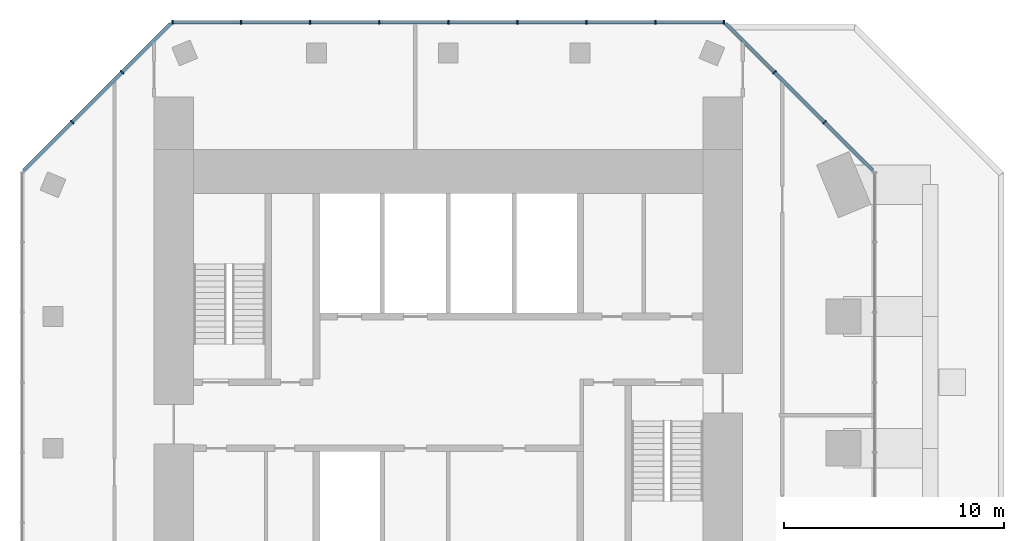
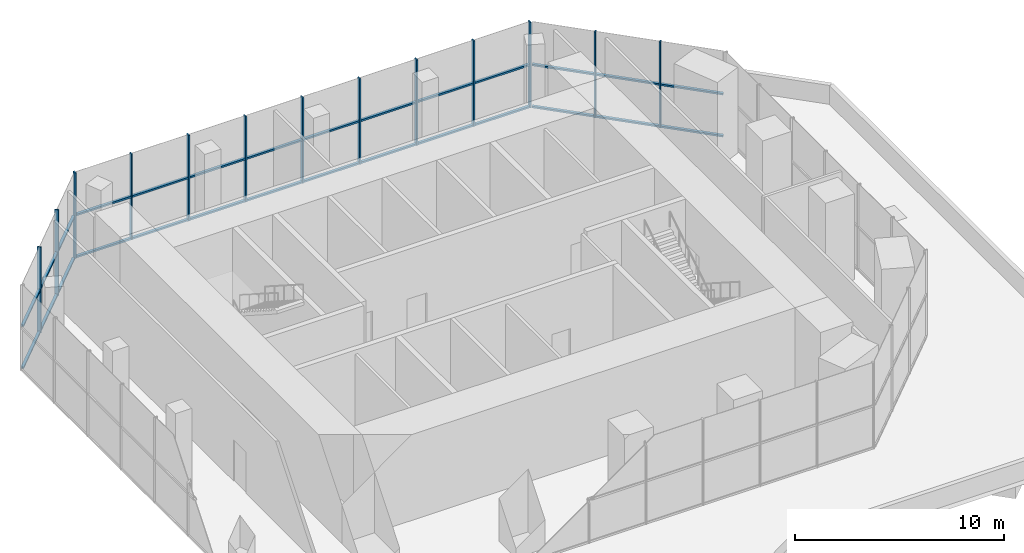
# One storey, part 5 of 9: 41 members, 3 elements without a shape of their own.
"""IFC4 building model written with IfcOpenShell, lengths in metres."""

from ifc_helpers import new_model, si_unit, direction, frame, origin, origin_2d, place, context, subcontext, project, spatial, rectangle, extrude, material, layer, layer_set, material_profile, profile_set, type_object, element, aggregate, save


model = new_model("IFC4")

# Units and contexts
model_context = context("Model", 3, precision=1e-05, world=origin(), true_north=direction((0.0, 1.0)))
body_context = subcontext(model_context, "Body", "Model", "MODEL_VIEW")
ifc_project = project(units=[si_unit("LENGTHUNIT", "METRE"), si_unit("AREAUNIT", "SQUARE_METRE"), si_unit("VOLUMEUNIT", "CUBIC_METRE"), si_unit("PLANEANGLEUNIT", "RADIAN"), si_unit("MASSUNIT", "GRAM", prefix="KILO")], contexts=[model_context])

# Site, building, storey
site_placement = place(None, origin())
site = spatial("IfcSite", under=ifc_project, at=site_placement, CompositionType="ELEMENT")
building_placement = place(site_placement, origin())
building = spatial("IfcBuilding", under=site, at=building_placement, Name="Highveld Stack Headquarters", CompositionType="ELEMENT")
storey_placement = place(building_placement, frame((0.0, 0.0, 295.699951171875)))
storey = spatial("IfcBuildingStorey", under=building, at=storey_placement, Name="L73", CompositionType="ELEMENT", Elevation=295.699951171875)

# Curtain wall, members
ifc_material_1 = material(Name="Aluminium bronze anodised", Category="aluminium")
ifc_layer = layer(ifc_material_1, 0.199951171875)
ifc_layer_set = layer_set([ifc_layer], Name="Aluminium bronze anodised")
curtain_wall_type = type_object("IfcCurtainWallType", Name="CW4 LANTERN CURTAIN WALL", PredefinedType="NOTDEFINED", material=ifc_layer_set)
curtain_wall_1_placement = place(storey_placement, origin())
curtain_wall_1 = element("IfcCurtainWall", 1, at=curtain_wall_1_placement, inside=storey, type_object=curtain_wall_type, Name="Curtain wall CW4 L73 NE", PredefinedType="NOTDEFINED")
ifc_material_2 = material(Name="Aluminium bronze anodised", Category="aluminium")
ifc_material_profile_1 = material_profile(ifc_material_2, rectangle(XDim=0.199951171875, YDim=0.06494140625, at=origin_2d()), Name="CW4 MULLION 65x200")
ifc_profile_set_1 = profile_set([ifc_material_profile_1], Name="Aluminium bronze anodised")
member_type_1 = type_object("IfcMemberType", Name="CW4 MULLION 65x200", PredefinedType="MULLION", material=ifc_profile_set_1)
member_1_placement = place(storey_placement, frame((23.126708984375, 14.853271484375, 0.0), z_axis=(0.0, 0.0, 1.0), x_axis=(-0.707106781187, -0.707106781187, 0.0)))
member_1 = element("IfcMember", 2, at=member_1_placement, type_object=member_type_1, Name="CW4 mullion L73 1", PredefinedType="MULLION", context=body_context, shape_type="SweptSolid", body=[
    extrude(rectangle(XDim=0.199951171875, YDim=0.06494140625, at=origin_2d()), origin(), (0.0, 0.0, 1.0), 5.0),
])
member_2_placement = place(storey_placement, frame((20.853271484375, 17.126708984375, 0.0), z_axis=(0.0, 0.0, 1.0), x_axis=(-0.707106781187, -0.707106781187, 0.0)))
member_2 = element("IfcMember", 3, at=member_2_placement, type_object=member_type_1, Name="CW4 mullion L73 2", PredefinedType="MULLION", context=body_context, shape_type="SweptSolid", body=[
    extrude(rectangle(XDim=0.199951171875, YDim=0.06494140625, at=origin_2d()), origin(), (0.0, 0.0, 1.0), 5.0),
])

curtain_wall_2_placement = place(storey_placement, origin())
curtain_wall_2 = element("IfcCurtainWall", 4, at=curtain_wall_2_placement, inside=storey, type_object=curtain_wall_type, Name="Curtain wall CW4 L73 N", PredefinedType="NOTDEFINED")
member_3_placement = place(storey_placement, frame((18.54736328125, 19.39990234375, 0.0), z_axis=(0.0, 0.0, 1.0), x_axis=(0.0, -1.0, 0.0)))
member_3 = element("IfcMember", 5, at=member_3_placement, type_object=member_type_1, Name="CW4 mullion L73 1", PredefinedType="MULLION", context=body_context, shape_type="SweptSolid", body=[
    extrude(rectangle(XDim=0.199951171875, YDim=0.06494140625, at=origin_2d()), origin(), (0.0, 0.0, 1.0), 5.0),
])
member_4_placement = place(storey_placement, frame((15.434814453125, 19.39990234375, 0.0), z_axis=(0.0, 0.0, 1.0), x_axis=(0.0, -1.0, 0.0)))
member_4 = element("IfcMember", 6, at=member_4_placement, type_object=member_type_1, Name="CW4 mullion L73 2", PredefinedType="MULLION", context=body_context, shape_type="SweptSolid", body=[
    extrude(rectangle(XDim=0.199951171875, YDim=0.06494140625, at=origin_2d()), origin(), (0.0, 0.0, 1.0), 5.0),
])
member_5_placement = place(storey_placement, frame((12.289794921875, 19.39990234375, 0.0), z_axis=(0.0, 0.0, 1.0), x_axis=(0.0, -1.0, 0.0)))
member_5 = element("IfcMember", 7, at=member_5_placement, type_object=member_type_1, Name="CW4 mullion L73 3", PredefinedType="MULLION", context=body_context, shape_type="SweptSolid", body=[
    extrude(rectangle(XDim=0.199951171875, YDim=0.06494140625, at=origin_2d()), origin(), (0.0, 0.0, 1.0), 5.0),
])
member_6_placement = place(storey_placement, frame((9.14501953125, 19.39990234375, 0.0), z_axis=(0.0, 0.0, 1.0), x_axis=(0.0, -1.0, 0.0)))
member_6 = element("IfcMember", 8, at=member_6_placement, type_object=member_type_1, Name="CW4 mullion L73 4", PredefinedType="MULLION", context=body_context, shape_type="SweptSolid", body=[
    extrude(rectangle(XDim=0.199951171875, YDim=0.06494140625, at=origin_2d()), origin(), (0.0, 0.0, 1.0), 5.0),
])
member_7_placement = place(storey_placement, frame((6.0, 19.39990234375, 0.0), z_axis=(0.0, 0.0, 1.0), x_axis=(0.0, -1.0, 0.0)))
member_7 = element("IfcMember", 9, at=member_7_placement, type_object=member_type_1, Name="CW4 mullion L73 5", PredefinedType="MULLION", context=body_context, shape_type="SweptSolid", body=[
    extrude(rectangle(XDim=0.199951171875, YDim=0.06494140625, at=origin_2d()), origin(), (0.0, 0.0, 1.0), 5.0),
])
member_8_placement = place(storey_placement, frame((2.85498046875, 19.39990234375, 0.0), z_axis=(0.0, 0.0, 1.0), x_axis=(0.0, -1.0, 0.0)))
member_8 = element("IfcMember", 10, at=member_8_placement, type_object=member_type_1, Name="CW4 mullion L73 6", PredefinedType="MULLION", context=body_context, shape_type="SweptSolid", body=[
    extrude(rectangle(XDim=0.199951171875, YDim=0.06494140625, at=origin_2d()), origin(), (0.0, 0.0, 1.0), 5.0),
])
member_9_placement = place(storey_placement, frame((-0.2900390625, 19.39990234375, 0.0), z_axis=(0.0, 0.0, 1.0), x_axis=(0.0, -1.0, 0.0)))
member_9 = element("IfcMember", 11, at=member_9_placement, type_object=member_type_1, Name="CW4 mullion L73 7", PredefinedType="MULLION", context=body_context, shape_type="SweptSolid", body=[
    extrude(rectangle(XDim=0.199951171875, YDim=0.06494140625, at=origin_2d()), origin(), (0.0, 0.0, 1.0), 5.0),
])
member_10_placement = place(storey_placement, frame((-3.434814453125, 19.39990234375, 0.0), z_axis=(0.0, 0.0, 1.0), x_axis=(0.0, -1.0, 0.0)))
member_10 = element("IfcMember", 12, at=member_10_placement, type_object=member_type_1, Name="CW4 mullion L73 8", PredefinedType="MULLION", context=body_context, shape_type="SweptSolid", body=[
    extrude(rectangle(XDim=0.199951171875, YDim=0.06494140625, at=origin_2d()), origin(), (0.0, 0.0, 1.0), 5.0),
])
member_11_placement = place(storey_placement, frame((-6.54736328125, 19.39990234375, 0.0), z_axis=(0.0, 0.0, 1.0), x_axis=(0.0, -1.0, 0.0)))
member_11 = element("IfcMember", 13, at=member_11_placement, type_object=member_type_1, Name="CW4 mullion L73 9", PredefinedType="MULLION", context=body_context, shape_type="SweptSolid", body=[
    extrude(rectangle(XDim=0.199951171875, YDim=0.06494140625, at=origin_2d()), origin(), (0.0, 0.0, 1.0), 5.0),
])

curtain_wall_3_placement = place(storey_placement, origin())
curtain_wall_3 = element("IfcCurtainWall", 14, at=curtain_wall_3_placement, inside=storey, type_object=curtain_wall_type, Name="Curtain wall CW4 L73 NW", PredefinedType="NOTDEFINED")
member_12_placement = place(storey_placement, frame((-8.853271484375, 17.126708984375, 0.0), z_axis=(0.0, 0.0, 1.0), x_axis=(0.707106781187, -0.707106781187, 0.0)))
member_12 = element("IfcMember", 15, at=member_12_placement, type_object=member_type_1, Name="CW4 mullion L73 1", PredefinedType="MULLION", context=body_context, shape_type="SweptSolid", body=[
    extrude(rectangle(XDim=0.199951171875, YDim=0.06494140625, at=origin_2d()), origin(), (0.0, 0.0, 1.0), 5.0),
])
member_13_placement = place(storey_placement, frame((-11.126708984375, 14.853271484375, 0.0), z_axis=(0.0, 0.0, 1.0), x_axis=(0.707106781187, -0.707106781187, 0.0)))
member_13 = element("IfcMember", 16, at=member_13_placement, type_object=member_type_1, Name="CW4 mullion L73 2", PredefinedType="MULLION", context=body_context, shape_type="SweptSolid", body=[
    extrude(rectangle(XDim=0.199951171875, YDim=0.06494140625, at=origin_2d()), origin(), (0.0, 0.0, 1.0), 5.0),
])

# Member
ifc_material_3 = material(Name="Aluminium bronze anodised", Category="aluminium")
ifc_material_profile_2 = material_profile(ifc_material_3, rectangle(XDim=0.14990234375, YDim=0.10009765625, at=origin_2d()), Name="CW4 TRANSOM 150x100")
ifc_profile_set_2 = profile_set([ifc_material_profile_2], Name="Aluminium bronze anodised")
member_type_2 = type_object("IfcMemberType", Name="CW4 STACK TRANSOM 150x100", PredefinedType="USERDEFINED", material=ifc_profile_set_2)
member_14_placement = place(storey_placement, frame((25.329345703125, 12.650634765625, 0.050048828125), z_axis=(-0.707106781187, 0.707106781187, 0.0), x_axis=(-0.707106781187, -0.707106781187, 0.0)))
member_14 = element("IfcMember", 17, at=member_14_placement, type_object=member_type_2, Name="CW4 transom L73 1.1", ObjectType="TRANSOM", PredefinedType="USERDEFINED", context=body_context, shape_type="SweptSolid", body=[
    extrude(rectangle(XDim=0.14990234375, YDim=0.10009765625, at=origin_2d()), origin(), (0.0, 0.0, 1.0), 3.08251953125),
])

member_15_placement = place(storey_placement, frame((25.329345703125, 12.650634765625, 2.5), z_axis=(-0.707106781187, 0.707106781187, 0.0), x_axis=(-0.707106781187, -0.707106781187, 0.0)))
member_15 = element("IfcMember", 18, at=member_15_placement, type_object=member_type_2, Name="CW4 transom L73 1.2", ObjectType="TRANSOM", PredefinedType="USERDEFINED", context=body_context, shape_type="SweptSolid", body=[
    extrude(rectangle(XDim=0.14990234375, YDim=0.10009765625, at=origin_2d()), origin(), (0.0, 0.0, 1.0), 3.08251953125),
])

member_16_placement = place(storey_placement, frame((23.103759765625, 14.876220703125, 0.050048828125), z_axis=(-0.707106781187, 0.707106781187, 0.0), x_axis=(-0.707106781187, -0.707106781187, 0.0)))
member_16 = element("IfcMember", 19, at=member_16_placement, type_object=member_type_2, Name="CW4 transom L73 2.1", ObjectType="TRANSOM", PredefinedType="USERDEFINED", context=body_context, shape_type="SweptSolid", body=[
    extrude(rectangle(XDim=0.14990234375, YDim=0.10009765625, at=origin_2d()), origin(), (0.0, 0.0, 1.0), 3.150146484375),
])

member_17_placement = place(storey_placement, frame((23.103759765625, 14.876220703125, 2.5), z_axis=(-0.707106781187, 0.707106781187, 0.0), x_axis=(-0.707106781187, -0.707106781187, 0.0)))
member_17 = element("IfcMember", 20, at=member_17_placement, type_object=member_type_2, Name="CW4 transom L73 2.2", ObjectType="TRANSOM", PredefinedType="USERDEFINED", context=body_context, shape_type="SweptSolid", body=[
    extrude(rectangle(XDim=0.14990234375, YDim=0.10009765625, at=origin_2d()), origin(), (0.0, 0.0, 1.0), 3.150146484375),
])

member_18_placement = place(storey_placement, frame((20.830322265625, 17.149658203125, 0.050048828125), z_axis=(-0.707106781187, 0.707106781187, 0.0), x_axis=(-0.707106781187, -0.707106781187, 0.0)))
member_18 = element("IfcMember", 21, at=member_18_placement, type_object=member_type_2, Name="CW4 transom L73 3.1", ObjectType="TRANSOM", PredefinedType="USERDEFINED", context=body_context, shape_type="SweptSolid", body=[
    extrude(rectangle(XDim=0.14990234375, YDim=0.10009765625, at=origin_2d()), origin(), (0.0, 0.0, 1.0), 3.08251953125),
])

member_19_placement = place(storey_placement, frame((20.830322265625, 17.149658203125, 2.5), z_axis=(-0.707106781187, 0.707106781187, 0.0), x_axis=(-0.707106781187, -0.707106781187, 0.0)))
member_19 = element("IfcMember", 22, at=member_19_placement, type_object=member_type_2, Name="CW4 transom L73 3.2", ObjectType="TRANSOM", PredefinedType="USERDEFINED", context=body_context, shape_type="SweptSolid", body=[
    extrude(rectangle(XDim=0.14990234375, YDim=0.10009765625, at=origin_2d()), origin(), (0.0, 0.0, 1.0), 3.08251953125),
])

aggregate(curtain_wall_1, [member_1, member_2, member_14, member_15, member_16, member_17, member_18, member_19])

member_20_placement = place(storey_placement, frame((18.514892578125, 19.39990234375, 0.050048828125), z_axis=(-1.0, 0.0, 0.0), x_axis=(0.0, -1.0, 0.0)))
member_20 = element("IfcMember", 23, at=member_20_placement, type_object=member_type_2, Name="CW4 transom L73 1.1", ObjectType="TRANSOM", PredefinedType="USERDEFINED", context=body_context, shape_type="SweptSolid", body=[
    extrude(rectangle(XDim=0.14990234375, YDim=0.10009765625, at=origin_2d()), origin(), (0.0, 0.0, 1.0), 3.047607421875),
])

member_21_placement = place(storey_placement, frame((18.514892578125, 19.39990234375, 2.5), z_axis=(-1.0, 0.0, 0.0), x_axis=(0.0, -1.0, 0.0)))
member_21 = element("IfcMember", 24, at=member_21_placement, type_object=member_type_2, Name="CW4 transom L73 1.2", ObjectType="TRANSOM", PredefinedType="USERDEFINED", context=body_context, shape_type="SweptSolid", body=[
    extrude(rectangle(XDim=0.14990234375, YDim=0.10009765625, at=origin_2d()), origin(), (0.0, 0.0, 1.0), 3.047607421875),
])

member_22_placement = place(storey_placement, frame((15.40234375, 19.39990234375, 0.050048828125), z_axis=(-1.0, 0.0, 0.0), x_axis=(0.0, -1.0, 0.0)))
member_22 = element("IfcMember", 25, at=member_22_placement, type_object=member_type_2, Name="CW4 transom L73 2.1", ObjectType="TRANSOM", PredefinedType="USERDEFINED", context=body_context, shape_type="SweptSolid", body=[
    extrude(rectangle(XDim=0.14990234375, YDim=0.10009765625, at=origin_2d()), origin(), (0.0, 0.0, 1.0), 3.079833984375),
])

member_23_placement = place(storey_placement, frame((15.40234375, 19.39990234375, 2.5), z_axis=(-1.0, 0.0, 0.0), x_axis=(0.0, -1.0, 0.0)))
member_23 = element("IfcMember", 26, at=member_23_placement, type_object=member_type_2, Name="CW4 transom L73 2.2", ObjectType="TRANSOM", PredefinedType="USERDEFINED", context=body_context, shape_type="SweptSolid", body=[
    extrude(rectangle(XDim=0.14990234375, YDim=0.10009765625, at=origin_2d()), origin(), (0.0, 0.0, 1.0), 3.079833984375),
])

member_24_placement = place(storey_placement, frame((12.25732421875, 19.39990234375, 0.050048828125), z_axis=(-1.0, 0.0, 0.0), x_axis=(0.0, -1.0, 0.0)))
member_24 = element("IfcMember", 27, at=member_24_placement, type_object=member_type_2, Name="CW4 transom L73 3.1", ObjectType="TRANSOM", PredefinedType="USERDEFINED", context=body_context, shape_type="SweptSolid", body=[
    extrude(rectangle(XDim=0.14990234375, YDim=0.10009765625, at=origin_2d()), origin(), (0.0, 0.0, 1.0), 3.079833984375),
])

member_25_placement = place(storey_placement, frame((12.25732421875, 19.39990234375, 2.5), z_axis=(-1.0, 0.0, 0.0), x_axis=(0.0, -1.0, 0.0)))
member_25 = element("IfcMember", 28, at=member_25_placement, type_object=member_type_2, Name="CW4 transom L73 3.2", ObjectType="TRANSOM", PredefinedType="USERDEFINED", context=body_context, shape_type="SweptSolid", body=[
    extrude(rectangle(XDim=0.14990234375, YDim=0.10009765625, at=origin_2d()), origin(), (0.0, 0.0, 1.0), 3.079833984375),
])

member_26_placement = place(storey_placement, frame((9.112548828125, 19.39990234375, 0.050048828125), z_axis=(-1.0, 0.0, 0.0), x_axis=(0.0, -1.0, 0.0)))
member_26 = element("IfcMember", 29, at=member_26_placement, type_object=member_type_2, Name="CW4 transom L73 4.1", ObjectType="TRANSOM", PredefinedType="USERDEFINED", context=body_context, shape_type="SweptSolid", body=[
    extrude(rectangle(XDim=0.14990234375, YDim=0.10009765625, at=origin_2d()), origin(), (0.0, 0.0, 1.0), 3.080078125),
])

member_27_placement = place(storey_placement, frame((9.112548828125, 19.39990234375, 2.5), z_axis=(-1.0, 0.0, 0.0), x_axis=(0.0, -1.0, 0.0)))
member_27 = element("IfcMember", 30, at=member_27_placement, type_object=member_type_2, Name="CW4 transom L73 4.2", ObjectType="TRANSOM", PredefinedType="USERDEFINED", context=body_context, shape_type="SweptSolid", body=[
    extrude(rectangle(XDim=0.14990234375, YDim=0.10009765625, at=origin_2d()), origin(), (0.0, 0.0, 1.0), 3.080078125),
])

member_28_placement = place(storey_placement, frame((5.967529296875, 19.39990234375, 0.050048828125), z_axis=(-1.0, 0.0, 0.0), x_axis=(0.0, -1.0, 0.0)))
member_28 = element("IfcMember", 31, at=member_28_placement, type_object=member_type_2, Name="CW4 transom L73 5.1", ObjectType="TRANSOM", PredefinedType="USERDEFINED", context=body_context, shape_type="SweptSolid", body=[
    extrude(rectangle(XDim=0.14990234375, YDim=0.10009765625, at=origin_2d()), origin(), (0.0, 0.0, 1.0), 3.080078125),
])

member_29_placement = place(storey_placement, frame((5.967529296875, 19.39990234375, 2.5), z_axis=(-1.0, 0.0, 0.0), x_axis=(0.0, -1.0, 0.0)))
member_29 = element("IfcMember", 32, at=member_29_placement, type_object=member_type_2, Name="CW4 transom L73 5.2", ObjectType="TRANSOM", PredefinedType="USERDEFINED", context=body_context, shape_type="SweptSolid", body=[
    extrude(rectangle(XDim=0.14990234375, YDim=0.10009765625, at=origin_2d()), origin(), (0.0, 0.0, 1.0), 3.080078125),
])

member_30_placement = place(storey_placement, frame((2.822509765625, 19.39990234375, 0.050048828125), z_axis=(-1.0, 0.0, 0.0), x_axis=(0.0, -1.0, 0.0)))
member_30 = element("IfcMember", 33, at=member_30_placement, type_object=member_type_2, Name="CW4 transom L73 6.1", ObjectType="TRANSOM", PredefinedType="USERDEFINED", context=body_context, shape_type="SweptSolid", body=[
    extrude(rectangle(XDim=0.14990234375, YDim=0.10009765625, at=origin_2d()), origin(), (0.0, 0.0, 1.0), 3.080078125),
])

member_31_placement = place(storey_placement, frame((2.822509765625, 19.39990234375, 2.5), z_axis=(-1.0, 0.0, 0.0), x_axis=(0.0, -1.0, 0.0)))
member_31 = element("IfcMember", 34, at=member_31_placement, type_object=member_type_2, Name="CW4 transom L73 6.2", ObjectType="TRANSOM", PredefinedType="USERDEFINED", context=body_context, shape_type="SweptSolid", body=[
    extrude(rectangle(XDim=0.14990234375, YDim=0.10009765625, at=origin_2d()), origin(), (0.0, 0.0, 1.0), 3.080078125),
])

member_32_placement = place(storey_placement, frame((-0.322509765625, 19.39990234375, 0.050048828125), z_axis=(-1.0, 0.0, 0.0), x_axis=(0.0, -1.0, 0.0)))
member_32 = element("IfcMember", 35, at=member_32_placement, type_object=member_type_2, Name="CW4 transom L73 7.1", ObjectType="TRANSOM", PredefinedType="USERDEFINED", context=body_context, shape_type="SweptSolid", body=[
    extrude(rectangle(XDim=0.14990234375, YDim=0.10009765625, at=origin_2d()), origin(), (0.0, 0.0, 1.0), 3.079833984375),
])

member_33_placement = place(storey_placement, frame((-0.322509765625, 19.39990234375, 2.5), z_axis=(-1.0, 0.0, 0.0), x_axis=(0.0, -1.0, 0.0)))
member_33 = element("IfcMember", 36, at=member_33_placement, type_object=member_type_2, Name="CW4 transom L73 7.2", ObjectType="TRANSOM", PredefinedType="USERDEFINED", context=body_context, shape_type="SweptSolid", body=[
    extrude(rectangle(XDim=0.14990234375, YDim=0.10009765625, at=origin_2d()), origin(), (0.0, 0.0, 1.0), 3.079833984375),
])

member_34_placement = place(storey_placement, frame((-3.46728515625, 19.39990234375, 0.050048828125), z_axis=(-1.0, 0.0, 0.0), x_axis=(0.0, -1.0, 0.0)))
member_34 = element("IfcMember", 37, at=member_34_placement, type_object=member_type_2, Name="CW4 transom L73 8.1", ObjectType="TRANSOM", PredefinedType="USERDEFINED", context=body_context, shape_type="SweptSolid", body=[
    extrude(rectangle(XDim=0.14990234375, YDim=0.10009765625, at=origin_2d()), origin(), (0.0, 0.0, 1.0), 3.047607421875),
])

member_35_placement = place(storey_placement, frame((-3.46728515625, 19.39990234375, 2.5), z_axis=(-1.0, 0.0, 0.0), x_axis=(0.0, -1.0, 0.0)))
member_35 = element("IfcMember", 38, at=member_35_placement, type_object=member_type_2, Name="CW4 transom L73 8.2", ObjectType="TRANSOM", PredefinedType="USERDEFINED", context=body_context, shape_type="SweptSolid", body=[
    extrude(rectangle(XDim=0.14990234375, YDim=0.10009765625, at=origin_2d()), origin(), (0.0, 0.0, 1.0), 3.047607421875),
])

aggregate(curtain_wall_2, [member_3, member_4, member_5, member_6, member_7, member_8, member_9, member_10, member_11, member_20, member_21, member_22, member_23, member_24, member_25, member_26, member_27, member_28, member_29, member_30, member_31, member_32, member_33, member_34, member_35])

member_36_placement = place(storey_placement, frame((-6.650634765625, 19.329345703125, 0.050048828125), z_axis=(-0.707106781187, -0.707106781187, 0.0), x_axis=(0.707106781187, -0.707106781187, 0.0)))
member_36 = element("IfcMember", 39, at=member_36_placement, type_object=member_type_2, Name="CW4 transom L73 1.1", ObjectType="TRANSOM", PredefinedType="USERDEFINED", context=body_context, shape_type="SweptSolid", body=[
    extrude(rectangle(XDim=0.14990234375, YDim=0.10009765625, at=origin_2d()), origin(), (0.0, 0.0, 1.0), 3.08251953125),
])

member_37_placement = place(storey_placement, frame((-6.650634765625, 19.329345703125, 2.5), z_axis=(-0.707106781187, -0.707106781187, 0.0), x_axis=(0.707106781187, -0.707106781187, 0.0)))
member_37 = element("IfcMember", 40, at=member_37_placement, type_object=member_type_2, Name="CW4 transom L73 1.2", ObjectType="TRANSOM", PredefinedType="USERDEFINED", context=body_context, shape_type="SweptSolid", body=[
    extrude(rectangle(XDim=0.14990234375, YDim=0.10009765625, at=origin_2d()), origin(), (0.0, 0.0, 1.0), 3.08251953125),
])

member_38_placement = place(storey_placement, frame((-8.876220703125, 17.103759765625, 0.050048828125), z_axis=(-0.707106781187, -0.707106781187, 0.0), x_axis=(0.707106781187, -0.707106781187, 0.0)))
member_38 = element("IfcMember", 41, at=member_38_placement, type_object=member_type_2, Name="CW4 transom L73 2.1", ObjectType="TRANSOM", PredefinedType="USERDEFINED", context=body_context, shape_type="SweptSolid", body=[
    extrude(rectangle(XDim=0.14990234375, YDim=0.10009765625, at=origin_2d()), origin(), (0.0, 0.0, 1.0), 3.150146484375),
])

member_39_placement = place(storey_placement, frame((-8.876220703125, 17.103759765625, 2.5), z_axis=(-0.707106781187, -0.707106781187, 0.0), x_axis=(0.707106781187, -0.707106781187, 0.0)))
member_39 = element("IfcMember", 42, at=member_39_placement, type_object=member_type_2, Name="CW4 transom L73 2.2", ObjectType="TRANSOM", PredefinedType="USERDEFINED", context=body_context, shape_type="SweptSolid", body=[
    extrude(rectangle(XDim=0.14990234375, YDim=0.10009765625, at=origin_2d()), origin(), (0.0, 0.0, 1.0), 3.150146484375),
])

member_40_placement = place(storey_placement, frame((-11.149658203125, 14.830322265625, 0.050048828125), z_axis=(-0.707106781187, -0.707106781187, 0.0), x_axis=(0.707106781187, -0.707106781187, 0.0)))
member_40 = element("IfcMember", 43, at=member_40_placement, type_object=member_type_2, Name="CW4 transom L73 3.1", ObjectType="TRANSOM", PredefinedType="USERDEFINED", context=body_context, shape_type="SweptSolid", body=[
    extrude(rectangle(XDim=0.14990234375, YDim=0.10009765625, at=origin_2d()), origin(), (0.0, 0.0, 1.0), 3.08251953125),
])

member_41_placement = place(storey_placement, frame((-11.149658203125, 14.830322265625, 2.5), z_axis=(-0.707106781187, -0.707106781187, 0.0), x_axis=(0.707106781187, -0.707106781187, 0.0)))
member_41 = element("IfcMember", 44, at=member_41_placement, type_object=member_type_2, Name="CW4 transom L73 3.2", ObjectType="TRANSOM", PredefinedType="USERDEFINED", context=body_context, shape_type="SweptSolid", body=[
    extrude(rectangle(XDim=0.14990234375, YDim=0.10009765625, at=origin_2d()), origin(), (0.0, 0.0, 1.0), 3.08251953125),
])

aggregate(curtain_wall_3, [member_12, member_13, member_36, member_37, member_38, member_39, member_40, member_41])

save(model, "model.ifc")
